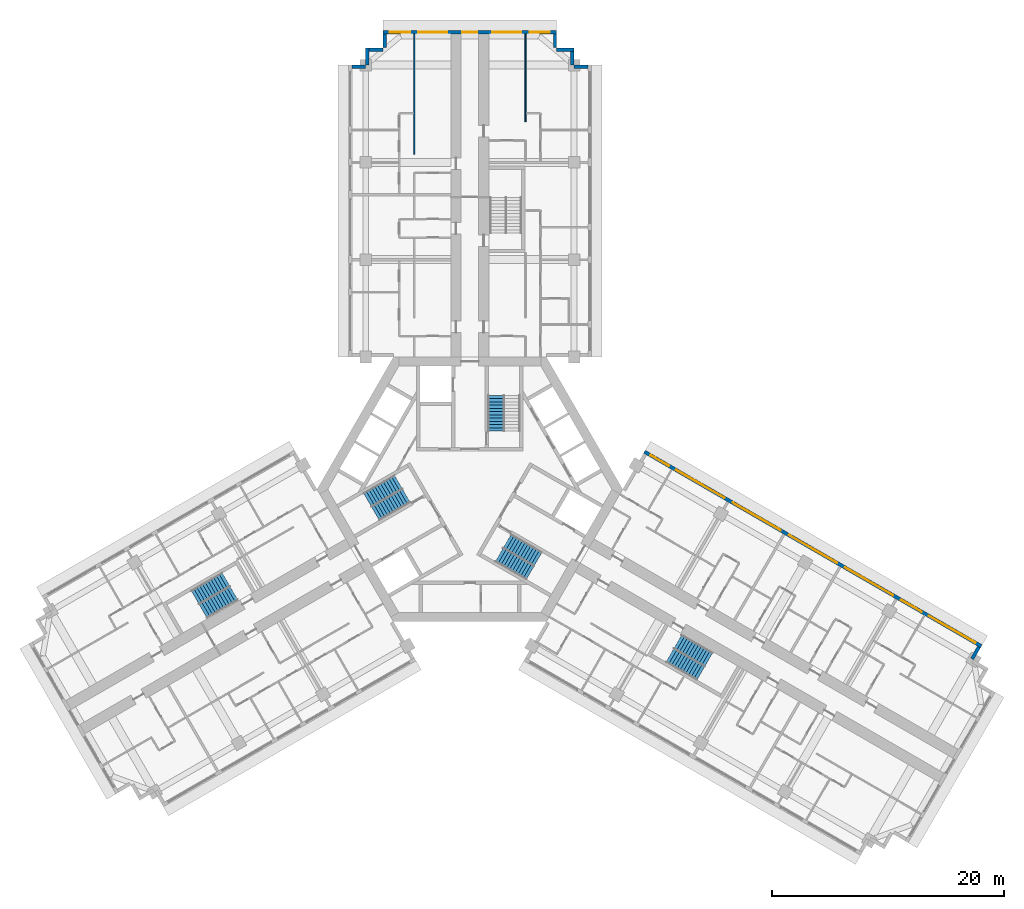
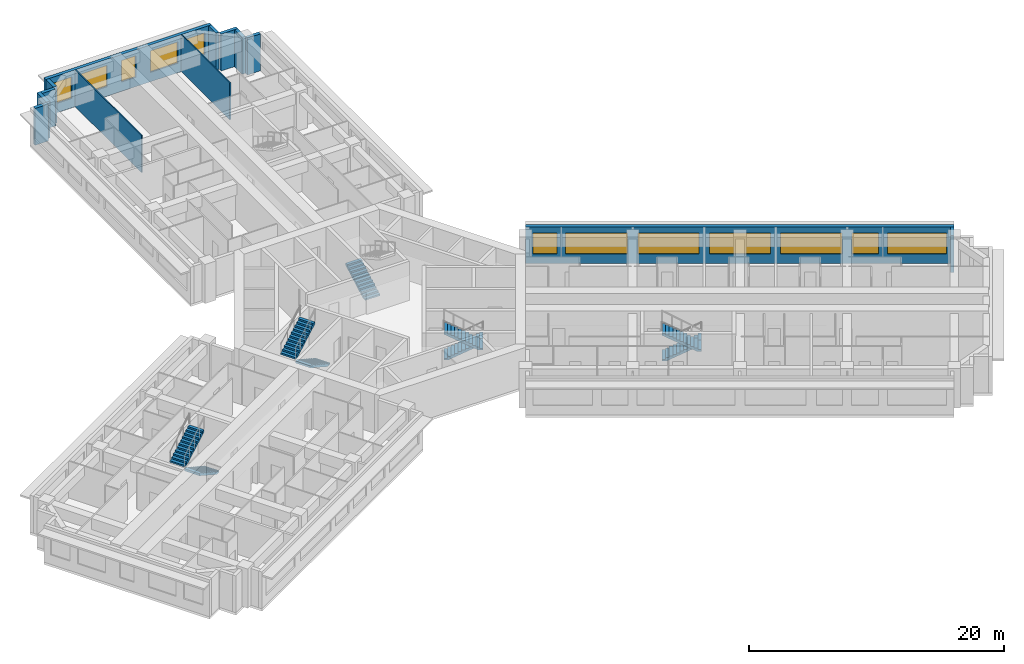
# One storey, part 12 of 14: 13 walls, 12 windows, 9 stair flights, 12 openings, 5 elements without a shape of their own.
"""IFC4 building model written with IfcOpenShell, lengths in metres."""

from ifc_helpers import new_model, si_unit, direction, frame, frame_2d, origin, place, context, subcontext, project, spatial, polyline, rectangle, outline, extrude, material, layer, layer_set, type_object, element, fill, aggregate, save


model = new_model("IFC4")

# Units and contexts
model_context = context("Model", 3, precision=1e-05, world=origin(), true_north=direction((0.0, 1.0)))
body_context = subcontext(model_context, "Body", "Model", "MODEL_VIEW")
ifc_project = project(units=[si_unit("LENGTHUNIT", "METRE"), si_unit("AREAUNIT", "SQUARE_METRE"), si_unit("VOLUMEUNIT", "CUBIC_METRE"), si_unit("PLANEANGLEUNIT", "RADIAN"), si_unit("MASSUNIT", "GRAM", prefix="KILO")], contexts=[model_context])

# Site, building, storey
site_placement = place(None, origin())
site = spatial("IfcSite", under=ifc_project, at=site_placement, CompositionType="ELEMENT")
building_placement = place(site_placement, origin())
building = spatial("IfcBuilding", under=site, at=building_placement, Name="Impinga Residences", CompositionType="ELEMENT")
storey_placement = place(building_placement, frame((0.0, 0.0, 143.5)))
storey = spatial("IfcBuildingStorey", under=building, at=storey_placement, Name="L35", CompositionType="ELEMENT", Elevation=143.5)

# Walls
ifc_material_1 = material(Name="Terracotta rainscreen on blockwork", Category="masonry")
ifc_layer_1 = layer(ifc_material_1, 0.300048828125)
ifc_layer_set_1 = layer_set([ifc_layer_1], Name="EW1 external wall, terracotta rainscreen on blockwork 300")
wall_type_1 = type_object("IfcWallType", Name="EW1 external wall, terracotta rainscreen on blockwork 300", PredefinedType="SOLIDWALL", material=ifc_layer_set_1)
wall_1_placement = place(storey_placement, frame((43.968505859375, -13.607421875, 0.0), z_axis=(0.0, 0.0, 1.0), x_axis=(-0.500029051137, -0.866008630453, 0.0)))
element("IfcWall", 1, at=wall_1_placement, inside=storey, type_object=wall_type_1, Name="External wall EW1 L35", PredefinedType="SOLIDWALL", context=body_context, shape_type="SweptSolid", body=[
    extrude(rectangle(XDim=1.19482421875, YDim=0.300048828125, at=frame_2d((0.597412109375, 0.0))), origin(), (0.0, 0.0, 1.0), 3.530029296875),
])
wall_2_placement = place(storey_placement, frame((-10.199951171875, 36.4814453125, 0.0), z_axis=(0.0, 0.0, 1.0), x_axis=(1.0, 0.0, 0.0)))
element("IfcWall", 2, at=wall_2_placement, inside=storey, type_object=wall_type_1, Name="External wall EW1 L35", PredefinedType="SOLIDWALL", context=body_context, shape_type="SweptSolid", body=[
    extrude(rectangle(XDim=1.199951171875, YDim=0.300048828125, at=frame_2d((0.60009765625, 0.0))), origin(), (0.0, 0.0, 1.0), 3.530029296875),
])
wall_3_placement = place(storey_placement, frame((-8.85009765625, 36.636474609375, 0.0), z_axis=(0.0, 0.0, 1.0), x_axis=(0.0, 1.0, 0.0)))
element("IfcWall", 3, at=wall_3_placement, inside=storey, type_object=wall_type_1, Name="External wall EW1 L35", PredefinedType="SOLIDWALL", context=body_context, shape_type="SweptSolid", body=[
    extrude(rectangle(XDim=1.4951171875, YDim=0.300048828125, at=frame_2d((0.74755859375, 0.0))), origin(), (0.0, 0.0, 1.0), 3.530029296875),
])
wall_4_placement = place(storey_placement, frame((-8.699951171875, 37.9814453125, 0.0), z_axis=(0.0, 0.0, 1.0), x_axis=(1.0, 0.0, 0.0)))
element("IfcWall", 4, at=wall_4_placement, inside=storey, type_object=wall_type_1, Name="External wall EW1 L35", PredefinedType="SOLIDWALL", context=body_context, shape_type="SweptSolid", body=[
    extrude(rectangle(XDim=1.199951171875, YDim=0.300048828125, at=frame_2d((0.60009765625, 0.0))), origin(), (0.0, 0.0, 1.0), 3.530029296875),
])
wall_5_placement = place(storey_placement, frame((-7.35009765625, 38.136474609375, 0.0), z_axis=(0.0, 0.0, 1.0), x_axis=(0.0, 1.0, 0.0)))
element("IfcWall", 5, at=wall_5_placement, inside=storey, type_object=wall_type_1, Name="External wall EW1 L35", PredefinedType="SOLIDWALL", context=body_context, shape_type="SweptSolid", body=[
    extrude(rectangle(XDim=1.195068359375, YDim=0.300048828125, at=frame_2d((0.59765625, 0.0))), origin(), (0.0, 0.0, 1.0), 3.530029296875),
])

# Wall, openings, windows
wall_6_placement = place(storey_placement, frame((-7.5, 39.4814453125, 0.0), z_axis=(0.0, 0.0, 1.0), x_axis=(1.0, 0.0, 0.0)))
wall_6 = element("IfcWall", 6, at=wall_6_placement, inside=storey, type_object=wall_type_1, Name="External wall EW1 L35", PredefinedType="SOLIDWALL", context=body_context, shape_type="SweptSolid", body=[
    extrude(rectangle(XDim=15.0, YDim=0.300048828125, at=frame_2d((7.5, 0.0))), origin(), (0.0, 0.0, 1.0), 3.530029296875),
])
opening_1_placement = place(wall_6_placement, frame((0.60009765625, 0.0, 0.89990234375)))
opening_1 = element("IfcOpeningElement", 7, at=opening_1_placement, cuts=wall_6, Name="Opening W1", PredefinedType="OPENING", context=body_context, shape_type="SweptSolid", body=[
    extrude(rectangle(XDim=1.75, YDim=2.050048828125, at=frame_2d((0.875, 1.02490234375))), frame((0.0, 0.159912109375, 0.0), z_axis=(0.0, -1.0, 0.0), x_axis=(1.0, 0.0, 0.0)), (0.0, 0.0, 1.0), 0.320068359375),
])
opening_2_placement = place(wall_6_placement, frame((3.050048828125, 0.0, 0.89990234375)))
opening_2 = element("IfcOpeningElement", 8, at=opening_2_placement, cuts=wall_6, Name="Opening W2", PredefinedType="OPENING", context=body_context, shape_type="SweptSolid", body=[
    extrude(rectangle(XDim=2.5, YDim=2.050048828125, at=frame_2d((1.25, 1.02490234375))), frame((0.0, 0.159912109375, 0.0), z_axis=(0.0, -1.0, 0.0), x_axis=(1.0, 0.0, 0.0)), (0.0, 0.0, 1.0), 0.320068359375),
])
opening_3_placement = place(wall_6_placement, frame((6.85009765625, 0.0, 0.89990234375)))
opening_3 = element("IfcOpeningElement", 9, at=opening_3_placement, cuts=wall_6, Name="Opening W17", PredefinedType="OPENING", context=body_context, shape_type="SweptSolid", body=[
    extrude(rectangle(XDim=1.300048828125, YDim=2.050048828125, at=frame_2d((0.64990234375, 1.02490234375))), frame((0.0, 0.159912109375, 0.0), z_axis=(0.0, -1.0, 0.0), x_axis=(1.0, 0.0, 0.0)), (0.0, 0.0, 1.0), 0.320068359375),
])
opening_4_placement = place(wall_6_placement, frame((9.449951171875, 0.0, 0.89990234375)))
opening_4 = element("IfcOpeningElement", 10, at=opening_4_placement, cuts=wall_6, Name="Opening W2", PredefinedType="OPENING", context=body_context, shape_type="SweptSolid", body=[
    extrude(rectangle(XDim=2.5, YDim=2.050048828125, at=frame_2d((1.25, 1.02490234375))), frame((0.0, 0.159912109375, 0.0), z_axis=(0.0, -1.0, 0.0), x_axis=(1.0, 0.0, 0.0)), (0.0, 0.0, 1.0), 0.320068359375),
])
opening_5_placement = place(wall_6_placement, frame((12.64990234375, 0.0, 0.89990234375)))
opening_5 = element("IfcOpeningElement", 11, at=opening_5_placement, cuts=wall_6, Name="Opening W1", PredefinedType="OPENING", context=body_context, shape_type="SweptSolid", body=[
    extrude(rectangle(XDim=1.75, YDim=2.050048828125, at=frame_2d((0.875, 1.02490234375))), frame((0.0, 0.159912109375, 0.0), z_axis=(0.0, -1.0, 0.0), x_axis=(1.0, 0.0, 0.0)), (0.0, 0.0, 1.0), 0.320068359375),
])
ifc_material_2 = material(Name="Aluminium window, clear double glazing", Category="aluminium")
window_type_1 = type_object("IfcWindowType", Name="W1 ribbon window 1750x2050", PartitioningType="SINGLE_PANEL", PredefinedType="WINDOW", material=ifc_material_2)
window_1_placement = place(opening_1_placement, origin())
window_1 = element("IfcWindow", 12, at=window_1_placement, inside=storey, type_object=window_type_1, Name="Window L35", OverallHeight=2.050048828125, OverallWidth=1.75, PartitioningType="SINGLE_PANEL", PredefinedType="WINDOW", context=body_context, shape_type="SweptSolid", body=[
    extrude(rectangle(XDim=1.75, YDim=2.050048828125, at=frame_2d((0.875, 1.02490234375))), frame((0.0, 0.030029296875, 0.0), z_axis=(0.0, -1.0, 0.0), x_axis=(1.0, 0.0, 0.0)), (0.0, 0.0, 1.0), 0.06005859375),
])
fill(opening_1, window_1)
window_2_placement = place(opening_5_placement, origin())
window_2 = element("IfcWindow", 13, at=window_2_placement, inside=storey, type_object=window_type_1, Name="Window L35", OverallHeight=2.050048828125, OverallWidth=1.75, PartitioningType="SINGLE_PANEL", PredefinedType="WINDOW", context=body_context, shape_type="SweptSolid", body=[
    extrude(rectangle(XDim=1.75, YDim=2.050048828125, at=frame_2d((0.875, 1.02490234375))), frame((0.0, 0.030029296875, 0.0), z_axis=(0.0, -1.0, 0.0), x_axis=(1.0, 0.0, 0.0)), (0.0, 0.0, 1.0), 0.06005859375),
])
fill(opening_5, window_2)
window_type_2 = type_object("IfcWindowType", Name="W17 ribbon window 1300x2050", PartitioningType="SINGLE_PANEL", PredefinedType="WINDOW", material=ifc_material_2)
window_3_placement = place(opening_3_placement, origin())
window_3 = element("IfcWindow", 14, at=window_3_placement, inside=storey, type_object=window_type_2, Name="Window L35", OverallHeight=2.050048828125, OverallWidth=1.300048828125, PartitioningType="SINGLE_PANEL", PredefinedType="WINDOW", context=body_context, shape_type="SweptSolid", body=[
    extrude(rectangle(XDim=1.300048828125, YDim=2.050048828125, at=frame_2d((0.64990234375, 1.02490234375))), frame((0.0, 0.030029296875, 0.0), z_axis=(0.0, -1.0, 0.0), x_axis=(1.0, 0.0, 0.0)), (0.0, 0.0, 1.0), 0.06005859375),
])
fill(opening_3, window_3)
window_type_3 = type_object("IfcWindowType", Name="W2 ribbon window 2500x2050", PartitioningType="SINGLE_PANEL", PredefinedType="WINDOW", material=ifc_material_2)
window_4_placement = place(opening_2_placement, origin())
window_4 = element("IfcWindow", 15, at=window_4_placement, inside=storey, type_object=window_type_3, Name="Window L35", OverallHeight=2.050048828125, OverallWidth=2.5, PartitioningType="SINGLE_PANEL", PredefinedType="WINDOW", context=body_context, shape_type="SweptSolid", body=[
    extrude(rectangle(XDim=2.5, YDim=2.050048828125, at=frame_2d((1.25, 1.02490234375))), frame((0.0, 0.030029296875, 0.0), z_axis=(0.0, -1.0, 0.0), x_axis=(1.0, 0.0, 0.0)), (0.0, 0.0, 1.0), 0.06005859375),
])
fill(opening_2, window_4)
window_5_placement = place(opening_4_placement, origin())
window_5 = element("IfcWindow", 16, at=window_5_placement, inside=storey, type_object=window_type_3, Name="Window L35", OverallHeight=2.050048828125, OverallWidth=2.5, PartitioningType="SINGLE_PANEL", PredefinedType="WINDOW", context=body_context, shape_type="SweptSolid", body=[
    extrude(rectangle(XDim=2.5, YDim=2.050048828125, at=frame_2d((1.25, 1.02490234375))), frame((0.0, 0.030029296875, 0.0), z_axis=(0.0, -1.0, 0.0), x_axis=(1.0, 0.0, 0.0)), (0.0, 0.0, 1.0), 0.06005859375),
])
fill(opening_4, window_5)

# Walls
wall_7_placement = place(storey_placement, frame((7.35009765625, 39.33154296875, 0.0), z_axis=(0.0, 0.0, 1.0), x_axis=(0.0, -1.0, 0.0)))
element("IfcWall", 17, at=wall_7_placement, inside=storey, type_object=wall_type_1, Name="External wall EW1 L35", PredefinedType="SOLIDWALL", context=body_context, shape_type="SweptSolid", body=[
    extrude(rectangle(XDim=1.195068359375, YDim=0.300048828125, at=frame_2d((0.59765625, 0.0))), origin(), (0.0, 0.0, 1.0), 3.530029296875),
])
wall_8_placement = place(storey_placement, frame((7.5, 37.9814453125, 0.0), z_axis=(0.0, 0.0, 1.0), x_axis=(1.0, 0.0, 0.0)))
element("IfcWall", 18, at=wall_8_placement, inside=storey, type_object=wall_type_1, Name="External wall EW1 L35", PredefinedType="SOLIDWALL", context=body_context, shape_type="SweptSolid", body=[
    extrude(rectangle(XDim=1.5, YDim=0.300048828125, at=frame_2d((0.75, 0.0))), origin(), (0.0, 0.0, 1.0), 3.530029296875),
])
wall_9_placement = place(storey_placement, frame((8.85009765625, 37.83154296875, 0.0), z_axis=(0.0, 0.0, 1.0), x_axis=(0.0, -1.0, 0.0)))
element("IfcWall", 19, at=wall_9_placement, inside=storey, type_object=wall_type_1, Name="External wall EW1 L35", PredefinedType="SOLIDWALL", context=body_context, shape_type="SweptSolid", body=[
    extrude(rectangle(XDim=1.199951171875, YDim=0.300048828125, at=frame_2d((0.60009765625, 0.0))), origin(), (0.0, 0.0, 1.0), 3.530029296875),
])
wall_10_placement = place(storey_placement, frame((9.0048828125, 36.4814453125, 0.0), z_axis=(0.0, 0.0, 1.0), x_axis=(1.0, 0.0, 0.0)))
element("IfcWall", 20, at=wall_10_placement, inside=storey, type_object=wall_type_1, Name="External wall EW1 L35", PredefinedType="SOLIDWALL", context=body_context, shape_type="SweptSolid", body=[
    extrude(rectangle(XDim=1.195068359375, YDim=0.300048828125, at=frame_2d((0.59765625, 0.0))), origin(), (0.0, 0.0, 1.0), 3.530029296875),
])

# Wall, openings, windows
wall_11_placement = place(storey_placement, frame((15.074951171875, 3.24755859375, 0.0), z_axis=(0.0, 0.0, 1.0), x_axis=(0.866024291668, -0.500001926238, 0.0)))
wall_11 = element("IfcWall", 21, at=wall_11_placement, inside=storey, type_object=wall_type_1, Name="External wall EW1 L35", PredefinedType="SOLIDWALL", context=body_context, shape_type="SweptSolid", body=[
    extrude(rectangle(XDim=33.599853515625, YDim=0.300048828125, at=frame_2d((16.7998046875, 0.0))), origin(), (0.0, 0.0, 1.0), 3.530029296875),
])
opening_6_placement = place(wall_11_placement, frame((0.60009765625, 0.0, 0.89990234375)))
opening_6 = element("IfcOpeningElement", 22, at=opening_6_placement, cuts=wall_11, Name="Opening W15", PredefinedType="OPENING", context=body_context, shape_type="SweptSolid", body=[
    extrude(rectangle(XDim=1.85009765625, YDim=2.050048828125, at=frame_2d((0.925048828125, 1.02490234375))), frame((0.0, 0.159912109375, 0.0), z_axis=(0.0, -1.0, 0.0), x_axis=(1.0, 0.0, 0.0)), (0.0, 0.0, 1.0), 0.320068359375),
])
opening_7_placement = place(wall_11_placement, frame((3.14990234375, 0.0, 0.89990234375)))
opening_7 = element("IfcOpeningElement", 23, at=opening_7_placement, cuts=wall_11, Name="Opening W6", PredefinedType="OPENING", context=body_context, shape_type="SweptSolid", body=[
    extrude(rectangle(XDim=4.85009765625, YDim=2.050048828125, at=frame_2d((2.425048828125, 1.02490234375))), frame((0.0, 0.159912109375, 0.0), z_axis=(0.0, -1.0, 0.0), x_axis=(1.0, 0.0, 0.0)), (0.0, 0.0, 1.0), 0.320068359375),
])
opening_8_placement = place(wall_11_placement, frame((8.800048828125, 0.0, 0.89990234375)))
opening_8 = element("IfcOpeningElement", 24, at=opening_8_placement, cuts=wall_11, Name="Opening W8", PredefinedType="OPENING", context=body_context, shape_type="SweptSolid", body=[
    extrude(rectangle(XDim=4.800048828125, YDim=2.050048828125, at=frame_2d((2.39990234375, 1.02490234375))), frame((0.0, 0.159912109375, 0.0), z_axis=(0.0, -1.0, 0.0), x_axis=(1.0, 0.0, 0.0)), (0.0, 0.0, 1.0), 0.320068359375),
])
opening_9_placement = place(wall_11_placement, frame((14.39990234375, 0.0, 0.89990234375)))
opening_9 = element("IfcOpeningElement", 25, at=opening_9_placement, cuts=wall_11, Name="Opening W8", PredefinedType="OPENING", context=body_context, shape_type="SweptSolid", body=[
    extrude(rectangle(XDim=4.800048828125, YDim=2.050048828125, at=frame_2d((2.39990234375, 1.02490234375))), frame((0.0, 0.159912109375, 0.0), z_axis=(0.0, -1.0, 0.0), x_axis=(1.0, 0.0, 0.0)), (0.0, 0.0, 1.0), 0.320068359375),
])
opening_10_placement = place(wall_11_placement, frame((20.0, 0.0, 0.89990234375)))
opening_10 = element("IfcOpeningElement", 26, at=opening_10_placement, cuts=wall_11, Name="Opening W8", PredefinedType="OPENING", context=body_context, shape_type="SweptSolid", body=[
    extrude(rectangle(XDim=4.800048828125, YDim=2.050048828125, at=frame_2d((2.39990234375, 1.02490234375))), frame((0.0, 0.159912109375, 0.0), z_axis=(0.0, -1.0, 0.0), x_axis=(1.0, 0.0, 0.0)), (0.0, 0.0, 1.0), 0.320068359375),
])
opening_11_placement = place(wall_11_placement, frame((25.60009765625, 0.0, 0.89990234375)))
opening_11 = element("IfcOpeningElement", 27, at=opening_11_placement, cuts=wall_11, Name="Opening W14", PredefinedType="OPENING", context=body_context, shape_type="SweptSolid", body=[
    extrude(rectangle(XDim=2.050048828125, YDim=2.050048828125, at=frame_2d((1.02490234375, 1.02490234375))), frame((0.0, 0.159912109375, 0.0), z_axis=(0.0, -1.0, 0.0), x_axis=(1.0, 0.0, 0.0)), (0.0, 0.0, 1.0), 0.320068359375),
])
opening_12_placement = place(wall_11_placement, frame((28.35009765625, 0.0, 0.89990234375)))
opening_12 = element("IfcOpeningElement", 28, at=opening_12_placement, cuts=wall_11, Name="Opening W10", PredefinedType="OPENING", context=body_context, shape_type="SweptSolid", body=[
    extrude(rectangle(XDim=4.64990234375, YDim=2.050048828125, at=frame_2d((2.324951171875, 1.02490234375))), frame((0.0, 0.159912109375, 0.0), z_axis=(0.0, -1.0, 0.0), x_axis=(1.0, 0.0, 0.0)), (0.0, 0.0, 1.0), 0.320068359375),
])
window_type_4 = type_object("IfcWindowType", Name="W10 ribbon window 4650x2050", PartitioningType="SINGLE_PANEL", PredefinedType="WINDOW", material=ifc_material_2)
window_6_placement = place(opening_12_placement, origin())
window_6 = element("IfcWindow", 29, at=window_6_placement, inside=storey, type_object=window_type_4, Name="Window L35", OverallHeight=2.050048828125, OverallWidth=4.64990234375, PartitioningType="SINGLE_PANEL", PredefinedType="WINDOW", context=body_context, shape_type="SweptSolid", body=[
    extrude(rectangle(XDim=4.64990234375, YDim=2.050048828125, at=frame_2d((2.324951171875, 1.02490234375))), frame((0.0, 0.030029296875, 0.0), z_axis=(0.0, -1.0, 0.0), x_axis=(1.0, 0.0, 0.0)), (0.0, 0.0, 1.0), 0.06005859375),
])
fill(opening_12, window_6)
window_type_5 = type_object("IfcWindowType", Name="W14 ribbon window 2050x2050", PartitioningType="SINGLE_PANEL", PredefinedType="WINDOW", material=ifc_material_2)
window_7_placement = place(opening_11_placement, origin())
window_7 = element("IfcWindow", 30, at=window_7_placement, inside=storey, type_object=window_type_5, Name="Window L35", OverallHeight=2.050048828125, OverallWidth=2.050048828125, PartitioningType="SINGLE_PANEL", PredefinedType="WINDOW", context=body_context, shape_type="SweptSolid", body=[
    extrude(rectangle(XDim=2.050048828125, YDim=2.050048828125, at=frame_2d((1.02490234375, 1.02490234375))), frame((0.0, 0.030029296875, 0.0), z_axis=(0.0, -1.0, 0.0), x_axis=(1.0, 0.0, 0.0)), (0.0, 0.0, 1.0), 0.06005859375),
])
fill(opening_11, window_7)
window_type_6 = type_object("IfcWindowType", Name="W15 ribbon window 1850x2050", PartitioningType="SINGLE_PANEL", PredefinedType="WINDOW", material=ifc_material_2)
window_8_placement = place(opening_6_placement, origin())
window_8 = element("IfcWindow", 31, at=window_8_placement, inside=storey, type_object=window_type_6, Name="Window L35", OverallHeight=2.050048828125, OverallWidth=1.85009765625, PartitioningType="SINGLE_PANEL", PredefinedType="WINDOW", context=body_context, shape_type="SweptSolid", body=[
    extrude(rectangle(XDim=1.85009765625, YDim=2.050048828125, at=frame_2d((0.925048828125, 1.02490234375))), frame((0.0, 0.030029296875, 0.0), z_axis=(0.0, -1.0, 0.0), x_axis=(1.0, 0.0, 0.0)), (0.0, 0.0, 1.0), 0.06005859375),
])
fill(opening_6, window_8)
window_type_7 = type_object("IfcWindowType", Name="W6 ribbon window 4850x2050", PartitioningType="SINGLE_PANEL", PredefinedType="WINDOW", material=ifc_material_2)
window_9_placement = place(opening_7_placement, origin())
window_9 = element("IfcWindow", 32, at=window_9_placement, inside=storey, type_object=window_type_7, Name="Window L35", OverallHeight=2.050048828125, OverallWidth=4.85009765625, PartitioningType="SINGLE_PANEL", PredefinedType="WINDOW", context=body_context, shape_type="SweptSolid", body=[
    extrude(rectangle(XDim=4.85009765625, YDim=2.050048828125, at=frame_2d((2.425048828125, 1.02490234375))), frame((0.0, 0.030029296875, 0.0), z_axis=(0.0, -1.0, 0.0), x_axis=(1.0, 0.0, 0.0)), (0.0, 0.0, 1.0), 0.06005859375),
])
fill(opening_7, window_9)
window_type_8 = type_object("IfcWindowType", Name="W8 ribbon window 4800x2050", PartitioningType="SINGLE_PANEL", PredefinedType="WINDOW", material=ifc_material_2)
window_10_placement = place(opening_8_placement, origin())
window_10 = element("IfcWindow", 33, at=window_10_placement, inside=storey, type_object=window_type_8, Name="Window L35", OverallHeight=2.050048828125, OverallWidth=4.800048828125, PartitioningType="SINGLE_PANEL", PredefinedType="WINDOW", context=body_context, shape_type="SweptSolid", body=[
    extrude(rectangle(XDim=4.800048828125, YDim=2.050048828125, at=frame_2d((2.39990234375, 1.02490234375))), frame((0.0, 0.030029296875, 0.0), z_axis=(0.0, -1.0, 0.0), x_axis=(1.0, 0.0, 0.0)), (0.0, 0.0, 1.0), 0.06005859375),
])
fill(opening_8, window_10)
window_11_placement = place(opening_9_placement, origin())
window_11 = element("IfcWindow", 34, at=window_11_placement, inside=storey, type_object=window_type_8, Name="Window L35", OverallHeight=2.050048828125, OverallWidth=4.800048828125, PartitioningType="SINGLE_PANEL", PredefinedType="WINDOW", context=body_context, shape_type="SweptSolid", body=[
    extrude(rectangle(XDim=4.800048828125, YDim=2.050048828125, at=frame_2d((2.39990234375, 1.02490234375))), frame((0.0, 0.030029296875, 0.0), z_axis=(0.0, -1.0, 0.0), x_axis=(1.0, 0.0, 0.0)), (0.0, 0.0, 1.0), 0.06005859375),
])
fill(opening_9, window_11)
window_12_placement = place(opening_10_placement, origin())
window_12 = element("IfcWindow", 35, at=window_12_placement, inside=storey, type_object=window_type_8, Name="Window L35", OverallHeight=2.050048828125, OverallWidth=4.800048828125, PartitioningType="SINGLE_PANEL", PredefinedType="WINDOW", context=body_context, shape_type="SweptSolid", body=[
    extrude(rectangle(XDim=4.800048828125, YDim=2.050048828125, at=frame_2d((2.39990234375, 1.02490234375))), frame((0.0, 0.030029296875, 0.0), z_axis=(0.0, -1.0, 0.0), x_axis=(1.0, 0.0, 0.0)), (0.0, 0.0, 1.0), 0.06005859375),
])
fill(opening_10, window_12)

# Walls
ifc_material_3 = material(Name="Gypsum board on steel studs", Category="steel")
ifc_layer_2 = layer(ifc_material_3, 0.10009765625)
ifc_layer_set_2 = layer_set([ifc_layer_2], Name="Gypsum board on steel studs")
wall_type_2 = type_object("IfcWallType", Name="IP1 partition 100", PredefinedType="PARTITIONING", material=ifc_layer_set_2)
wall_12_placement = place(storey_placement, frame((-4.800048828125, 28.931640625, 0.0), z_axis=(0.0, 0.0, 1.0), x_axis=(0.0, 1.0, 0.0)))
element("IfcWall", 36, at=wall_12_placement, inside=storey, type_object=wall_type_2, Name="Partition L35-NA3:DIV1", PredefinedType="PARTITIONING", context=body_context, shape_type="SweptSolid", body=[
    extrude(rectangle(XDim=10.39990234375, YDim=0.10009765625, at=frame_2d((5.199951171875, 0.0))), origin(), (0.0, 0.0, 1.0), 3.530029296875),
])
wall_13_placement = place(storey_placement, frame((4.800048828125, 31.7314453125, 0.0), z_axis=(0.0, 0.0, 1.0), x_axis=(0.0, 1.0, 0.0)))
element("IfcWall", 37, at=wall_13_placement, inside=storey, type_object=wall_type_2, Name="Partition L35-NF2:DIV1", PredefinedType="PARTITIONING", context=body_context, shape_type="SweptSolid", body=[
    extrude(rectangle(XDim=7.60009765625, YDim=0.10009765625, at=frame_2d((3.800048828125, 0.0))), origin(), (0.0, 0.0, 1.0), 3.530029296875),
])

# Stair, stair flight
ifc_material_4 = material(Name="Concrete C40/50", Category="concrete")
stair_type_1 = type_object("IfcStairType", Name="STR core stair 3750 storey, 24 risers", PredefinedType="HALF_TURN_STAIR", material=ifc_material_4)
stair_1_placement = place(storey_placement, origin())
stair_1 = element("IfcStair", 38, at=stair_1_placement, inside=storey, type_object=stair_type_1, Name="Stair ST1 L35", PredefinedType="HALF_TURN_STAIR")
stair_flight_type = type_object("IfcStairFlightType", Name="SF 12 risers of 156", PredefinedType="STRAIGHT", material=ifc_material_4)
stair_flight_1_placement = place(storey_placement, frame((2.27490234375, 5.030029296875, 0.0), z_axis=(0.0, 0.0, 1.0), x_axis=(0.0, 1.0, 0.0)))
stair_flight_1 = element("IfcStairFlight", 39, at=stair_flight_1_placement, type_object=stair_flight_type, Name="ST1 flight 1", NumberOfRisers=12, NumberOfTreads=11, PredefinedType="STRAIGHT", RiserHeight=0.15625, TreadLength=0.28, context=body_context, shape_type="SweptSolid", body=[
    extrude(outline(polyline([(0.0, 0.0), (0.0, 0.15625), (0.280029296875, 0.15625), (0.280029296875, 0.3125), (0.56005859375, 0.3125), (0.56005859375, 0.46875), (0.840087890625, 0.46875), (0.840087890625, 0.625), (1.1201171875, 0.625), (1.1201171875, 0.78125), (1.39990234375, 0.78125), (1.39990234375, 0.9375), (1.679931640625, 0.9375), (1.679931640625, 1.09375), (1.9599609375, 1.09375), (1.9599609375, 1.25), (2.239990234375, 1.25), (2.239990234375, 1.40625), (2.52001953125, 1.40625), (2.52001953125, 1.5625), (2.800048828125, 1.5625), (2.800048828125, 1.71875), (3.080078125, 1.71875), (3.080078125, 1.875), (3.080078125, 1.5126953125), (0.369140625, 0.0), (0.0, 0.0)])), frame((0.0, 0.675048828125, 0.0), z_axis=(0.0, -1.0, 0.0), x_axis=(1.0, 0.0, 0.0)), (0.0, 0.0, 1.0), 1.35009765625),
])
aggregate(stair_1, [stair_flight_1])

# Stair, stair flights
stair_2_placement = place(storey_placement, origin())
stair_2 = element("IfcStair", 40, at=stair_2_placement, inside=storey, type_object=stair_type_1, Name="Stair ST2 L35", PredefinedType="HALF_TURN_STAIR")
stair_flight_2_placement = place(storey_placement, frame((-5.49365234375, -0.544677734375, 0.0), z_axis=(0.0, 0.0, 1.0), x_axis=(-0.866025403784, -0.5, 0.0)))
stair_flight_2 = element("IfcStairFlight", 41, at=stair_flight_2_placement, type_object=stair_flight_type, Name="ST2 flight 1", NumberOfRisers=12, NumberOfTreads=11, PredefinedType="STRAIGHT", RiserHeight=0.15625, TreadLength=0.28, context=body_context, shape_type="SweptSolid", body=[
    extrude(outline(polyline([(0.0, 0.0), (0.0, 0.15625), (0.280029296875, 0.15625), (0.280029296875, 0.3125), (0.56005859375, 0.3125), (0.56005859375, 0.46875), (0.840087890625, 0.46875), (0.840087890625, 0.625), (1.1201171875, 0.625), (1.1201171875, 0.78125), (1.39990234375, 0.78125), (1.39990234375, 0.9375), (1.679931640625, 0.9375), (1.679931640625, 1.09375), (1.9599609375, 1.09375), (1.9599609375, 1.25), (2.239990234375, 1.25), (2.239990234375, 1.40625), (2.52001953125, 1.40625), (2.52001953125, 1.5625), (2.800048828125, 1.5625), (2.800048828125, 1.71875), (3.080078125, 1.71875), (3.080078125, 1.875), (3.080078125, 1.5126953125), (0.369140625, 0.0), (0.0, 0.0)])), frame((0.0, 0.675048828125, 0.0), z_axis=(0.0, -1.0, 0.0), x_axis=(1.0, 0.0, 0.0)), (0.0, 0.0, 1.0), 1.35009765625),
])
stair_flight_3_placement = place(storey_placement, frame((-8.8359375, -0.915771484375, 1.875), z_axis=(0.0, 0.0, 1.0), x_axis=(0.866025403784, 0.5, 0.0)))
stair_flight_3 = element("IfcStairFlight", 42, at=stair_flight_3_placement, type_object=stair_flight_type, Name="ST2 flight 2", NumberOfRisers=12, NumberOfTreads=11, PredefinedType="STRAIGHT", RiserHeight=0.15625, TreadLength=0.28, context=body_context, shape_type="SweptSolid", body=[
    extrude(outline(polyline([(0.0, 0.0), (0.0, 0.15625), (0.280029296875, 0.15625), (0.280029296875, 0.3125), (0.56005859375, 0.3125), (0.56005859375, 0.46875), (0.840087890625, 0.46875), (0.840087890625, 0.625), (1.1201171875, 0.625), (1.1201171875, 0.78125), (1.39990234375, 0.78125), (1.39990234375, 0.9375), (1.679931640625, 0.9375), (1.679931640625, 1.09375), (1.9599609375, 1.09375), (1.9599609375, 1.25), (2.239990234375, 1.25), (2.239990234375, 1.40625), (2.52001953125, 1.40625), (2.52001953125, 1.5625), (2.800048828125, 1.5625), (2.800048828125, 1.71875), (3.080078125, 1.71875), (3.080078125, 1.875), (3.080078125, 1.5126953125), (0.369140625, 0.0), (0.0, 0.0)])), frame((0.0, 0.675048828125, 0.0), z_axis=(0.0, -1.0, 0.0), x_axis=(1.0, 0.0, 0.0)), (0.0, 0.0, 1.0), 1.35009765625),
])
aggregate(stair_2, [stair_flight_2, stair_flight_3])

stair_3_placement = place(storey_placement, origin())
stair_3 = element("IfcStair", 43, at=stair_3_placement, inside=storey, type_object=stair_type_1, Name="Stair ST3 L35", PredefinedType="HALF_TURN_STAIR")
stair_flight_4_placement = place(storey_placement, frame((3.218505859375, -4.485107421875, 0.0), z_axis=(0.0, 0.0, 1.0), x_axis=(0.866025403784, -0.5, 0.0)))
stair_flight_4 = element("IfcStairFlight", 44, at=stair_flight_4_placement, type_object=stair_flight_type, Name="ST3 flight 1", NumberOfRisers=12, NumberOfTreads=11, PredefinedType="STRAIGHT", RiserHeight=0.15625, TreadLength=0.28, context=body_context, shape_type="SweptSolid", body=[
    extrude(outline(polyline([(0.0, 0.0), (0.0, 0.15625), (0.280029296875, 0.15625), (0.280029296875, 0.3125), (0.56005859375, 0.3125), (0.56005859375, 0.46875), (0.840087890625, 0.46875), (0.840087890625, 0.625), (1.1201171875, 0.625), (1.1201171875, 0.78125), (1.39990234375, 0.78125), (1.39990234375, 0.9375), (1.679931640625, 0.9375), (1.679931640625, 1.09375), (1.9599609375, 1.09375), (1.9599609375, 1.25), (2.239990234375, 1.25), (2.239990234375, 1.40625), (2.52001953125, 1.40625), (2.52001953125, 1.5625), (2.800048828125, 1.5625), (2.800048828125, 1.71875), (3.080078125, 1.71875), (3.080078125, 1.875), (3.080078125, 1.5126953125), (0.369140625, 0.0), (0.0, 0.0)])), frame((0.0, 0.675048828125, 0.0), z_axis=(0.0, -1.0, 0.0), x_axis=(1.0, 0.0, 0.0)), (0.0, 0.0, 1.0), 1.35009765625),
])
stair_flight_5_placement = place(storey_placement, frame((5.2109375, -7.1943359375, 1.875), z_axis=(0.0, 0.0, 1.0), x_axis=(-0.866025403784, 0.5, 0.0)))
stair_flight_5 = element("IfcStairFlight", 45, at=stair_flight_5_placement, type_object=stair_flight_type, Name="ST3 flight 2", NumberOfRisers=12, NumberOfTreads=11, PredefinedType="STRAIGHT", RiserHeight=0.15625, TreadLength=0.28, context=body_context, shape_type="SweptSolid", body=[
    extrude(outline(polyline([(0.0, 0.0), (0.0, 0.15625), (0.280029296875, 0.15625), (0.280029296875, 0.3125), (0.56005859375, 0.3125), (0.56005859375, 0.46875), (0.840087890625, 0.46875), (0.840087890625, 0.625), (1.1201171875, 0.625), (1.1201171875, 0.78125), (1.39990234375, 0.78125), (1.39990234375, 0.9375), (1.679931640625, 0.9375), (1.679931640625, 1.09375), (1.9599609375, 1.09375), (1.9599609375, 1.25), (2.239990234375, 1.25), (2.239990234375, 1.40625), (2.52001953125, 1.40625), (2.52001953125, 1.5625), (2.800048828125, 1.5625), (2.800048828125, 1.71875), (3.080078125, 1.71875), (3.080078125, 1.875), (3.080078125, 1.5126953125), (0.369140625, 0.0), (0.0, 0.0)])), frame((0.0, 0.675048828125, 0.0), z_axis=(0.0, -1.0, 0.0), x_axis=(1.0, 0.0, 0.0)), (0.0, 0.0, 1.0), 1.35009765625),
])
aggregate(stair_3, [stair_flight_4, stair_flight_5])

stair_type_2 = type_object("IfcStairType", Name="STR wing stair 3750 storey, 24 risers", PredefinedType="HALF_TURN_STAIR", material=ifc_material_4)
stair_4_placement = place(storey_placement, origin())
stair_4 = element("IfcStair", 46, at=stair_4_placement, inside=storey, type_object=stair_type_2, Name="Stair WS2 L35", PredefinedType="HALF_TURN_STAIR")
stair_flight_6_placement = place(storey_placement, frame((-20.37890625, -8.965576171875, 0.0), z_axis=(0.0, 0.0, 1.0), x_axis=(-0.866025403784, -0.5, 0.0)))
stair_flight_6 = element("IfcStairFlight", 47, at=stair_flight_6_placement, type_object=stair_flight_type, Name="WS2 flight 1", NumberOfRisers=12, NumberOfTreads=11, PredefinedType="STRAIGHT", RiserHeight=0.15625, TreadLength=0.28, context=body_context, shape_type="SweptSolid", body=[
    extrude(outline(polyline([(0.0, 0.0), (0.0, 0.15625), (0.280029296875, 0.15625), (0.280029296875, 0.3125), (0.56005859375, 0.3125), (0.56005859375, 0.46875), (0.840087890625, 0.46875), (0.840087890625, 0.625), (1.1201171875, 0.625), (1.1201171875, 0.78125), (1.39990234375, 0.78125), (1.39990234375, 0.9375), (1.679931640625, 0.9375), (1.679931640625, 1.09375), (1.9599609375, 1.09375), (1.9599609375, 1.25), (2.239990234375, 1.25), (2.239990234375, 1.40625), (2.52001953125, 1.40625), (2.52001953125, 1.5625), (2.800048828125, 1.5625), (2.800048828125, 1.71875), (3.080078125, 1.71875), (3.080078125, 1.875), (3.080078125, 1.5126953125), (0.369140625, 0.0), (0.0, 0.0)])), frame((0.0, 0.675048828125, 0.0), z_axis=(0.0, -1.0, 0.0), x_axis=(1.0, 0.0, 0.0)), (0.0, 0.0, 1.0), 1.35009765625),
])
stair_flight_7_placement = place(storey_placement, frame((-23.721435546875, -9.33642578125, 1.875), z_axis=(0.0, 0.0, 1.0), x_axis=(0.866025403784, 0.5, 0.0)))
stair_flight_7 = element("IfcStairFlight", 48, at=stair_flight_7_placement, type_object=stair_flight_type, Name="WS2 flight 2", NumberOfRisers=12, NumberOfTreads=11, PredefinedType="STRAIGHT", RiserHeight=0.15625, TreadLength=0.28, context=body_context, shape_type="SweptSolid", body=[
    extrude(outline(polyline([(0.0, 0.0), (0.0, 0.15625), (0.280029296875, 0.15625), (0.280029296875, 0.3125), (0.56005859375, 0.3125), (0.56005859375, 0.46875), (0.840087890625, 0.46875), (0.840087890625, 0.625), (1.1201171875, 0.625), (1.1201171875, 0.78125), (1.39990234375, 0.78125), (1.39990234375, 0.9375), (1.679931640625, 0.9375), (1.679931640625, 1.09375), (1.9599609375, 1.09375), (1.9599609375, 1.25), (2.239990234375, 1.25), (2.239990234375, 1.40625), (2.52001953125, 1.40625), (2.52001953125, 1.5625), (2.800048828125, 1.5625), (2.800048828125, 1.71875), (3.080078125, 1.71875), (3.080078125, 1.875), (3.080078125, 1.5126953125), (0.369140625, 0.0), (0.0, 0.0)])), frame((0.0, 0.675048828125, 0.0), z_axis=(0.0, -1.0, 0.0), x_axis=(1.0, 0.0, 0.0)), (0.0, 0.0, 1.0), 1.35009765625),
])
aggregate(stair_4, [stair_flight_6, stair_flight_7])

stair_5_placement = place(storey_placement, origin())
stair_5 = element("IfcStair", 49, at=stair_5_placement, inside=storey, type_object=stair_type_2, Name="Stair WS3 L35", PredefinedType="HALF_TURN_STAIR")
stair_flight_8_placement = place(storey_placement, frame((17.953857421875, -13.165771484375, 0.0), z_axis=(0.0, 0.0, 1.0), x_axis=(0.866025403784, -0.5, 0.0)))
stair_flight_8 = element("IfcStairFlight", 50, at=stair_flight_8_placement, type_object=stair_flight_type, Name="WS3 flight 1", NumberOfRisers=12, NumberOfTreads=11, PredefinedType="STRAIGHT", RiserHeight=0.15625, TreadLength=0.28, context=body_context, shape_type="SweptSolid", body=[
    extrude(outline(polyline([(0.0, 0.0), (0.0, 0.15625), (0.280029296875, 0.15625), (0.280029296875, 0.3125), (0.56005859375, 0.3125), (0.56005859375, 0.46875), (0.840087890625, 0.46875), (0.840087890625, 0.625), (1.1201171875, 0.625), (1.1201171875, 0.78125), (1.39990234375, 0.78125), (1.39990234375, 0.9375), (1.679931640625, 0.9375), (1.679931640625, 1.09375), (1.9599609375, 1.09375), (1.9599609375, 1.25), (2.239990234375, 1.25), (2.239990234375, 1.40625), (2.52001953125, 1.40625), (2.52001953125, 1.5625), (2.800048828125, 1.5625), (2.800048828125, 1.71875), (3.080078125, 1.71875), (3.080078125, 1.875), (3.080078125, 1.5126953125), (0.369140625, 0.0), (0.0, 0.0)])), frame((0.0, 0.675048828125, 0.0), z_axis=(0.0, -1.0, 0.0), x_axis=(1.0, 0.0, 0.0)), (0.0, 0.0, 1.0), 1.35009765625),
])
stair_flight_9_placement = place(storey_placement, frame((19.9462890625, -15.875, 1.875), z_axis=(0.0, 0.0, 1.0), x_axis=(-0.866025403784, 0.5, 0.0)))
stair_flight_9 = element("IfcStairFlight", 51, at=stair_flight_9_placement, type_object=stair_flight_type, Name="WS3 flight 2", NumberOfRisers=12, NumberOfTreads=11, PredefinedType="STRAIGHT", RiserHeight=0.15625, TreadLength=0.28, context=body_context, shape_type="SweptSolid", body=[
    extrude(outline(polyline([(0.0, 0.0), (0.0, 0.15625), (0.280029296875, 0.15625), (0.280029296875, 0.3125), (0.56005859375, 0.3125), (0.56005859375, 0.46875), (0.840087890625, 0.46875), (0.840087890625, 0.625), (1.1201171875, 0.625), (1.1201171875, 0.78125), (1.39990234375, 0.78125), (1.39990234375, 0.9375), (1.679931640625, 0.9375), (1.679931640625, 1.09375), (1.9599609375, 1.09375), (1.9599609375, 1.25), (2.239990234375, 1.25), (2.239990234375, 1.40625), (2.52001953125, 1.40625), (2.52001953125, 1.5625), (2.800048828125, 1.5625), (2.800048828125, 1.71875), (3.080078125, 1.71875), (3.080078125, 1.875), (3.080078125, 1.5126953125), (0.369140625, 0.0), (0.0, 0.0)])), frame((0.0, 0.675048828125, 0.0), z_axis=(0.0, -1.0, 0.0), x_axis=(1.0, 0.0, 0.0)), (0.0, 0.0, 1.0), 1.35009765625),
])
aggregate(stair_5, [stair_flight_8, stair_flight_9])

save(model, "model.ifc")
